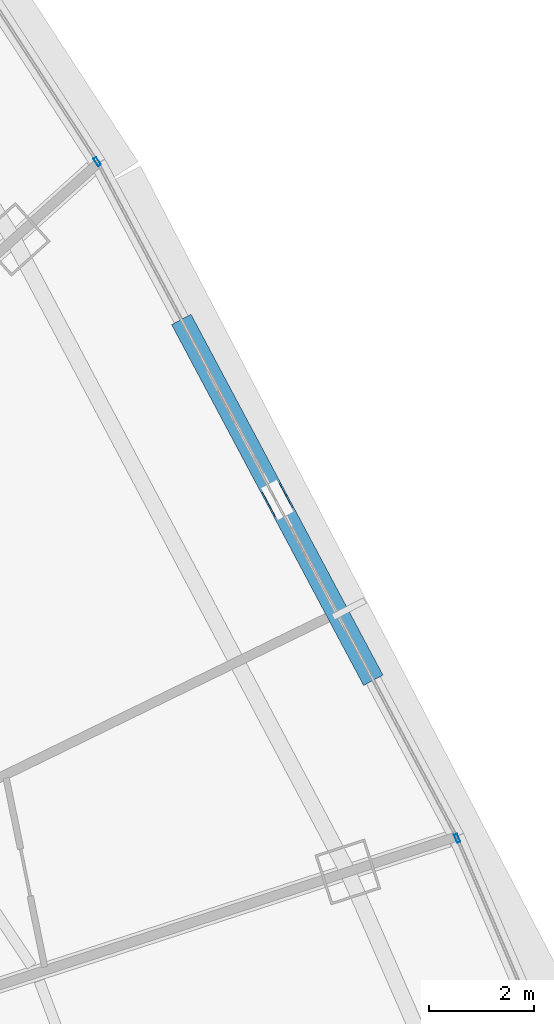
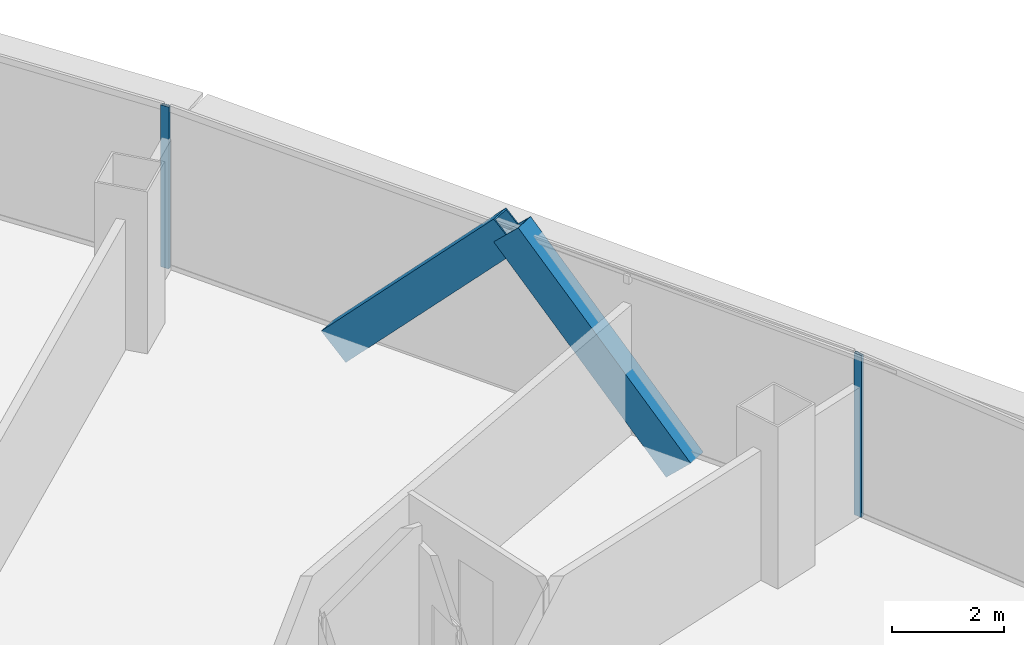
# One storey, part 24 of 37: 4 members, 2 elements without a shape of their own.
"""IFC4 building model written with IfcOpenShell, lengths in metres."""

from ifc_helpers import new_model, si_unit, direction, frame, origin, origin_2d, place, context, subcontext, project, spatial, hollow_rectangle, extrude, source, transform, mapped, material, layer, layer_set, material_profile, profile_set, type_object, element, aggregate, save


model = new_model("IFC4")

# Units and contexts
model_context = context("Model", 3, precision=1e-05, world=origin(), true_north=direction((0.0, 1.0)))
body_context = subcontext(model_context, "Body", "Model", "MODEL_VIEW")
ifc_project = project(units=[si_unit("LENGTHUNIT", "METRE"), si_unit("AREAUNIT", "SQUARE_METRE"), si_unit("VOLUMEUNIT", "CUBIC_METRE"), si_unit("PLANEANGLEUNIT", "RADIAN"), si_unit("MASSUNIT", "GRAM", prefix="KILO"), si_unit("THERMODYNAMICTEMPERATUREUNIT", "KELVIN"), si_unit("POWERUNIT", "WATT")], contexts=[model_context])

# Site, building, storey
site_placement = place(None, origin())
site = spatial("IfcSite", under=ifc_project, at=site_placement, CompositionType="ELEMENT")
building_placement = place(site_placement, origin())
building = spatial("IfcBuilding", under=site, at=building_placement, Name="Yunzhuo Pagoda Commons", CompositionType="ELEMENT")
storey_placement = place(building_placement, frame((0.0, 0.0, 84.97998046875)))
storey = spatial("IfcBuildingStorey", under=building, at=storey_placement, Name="L21", CompositionType="ELEMENT", Elevation=84.97998046875)

# Members
ifc_material_1 = material(Name="Structural steel Q420B", Category="steel")
ifc_material_profile_1 = material_profile(ifc_material_1, hollow_rectangle(XDim=0.419921875, YDim=0.719970703125, WallThickness=0.028076171875, at=origin_2d()), Name="Structural steel Q420B")
ifc_profile_set_1 = profile_set([ifc_material_profile_1], Name="Structural steel Q420B")
member_type_1 = type_object("IfcMemberType", Name="M-DL1 Brace BOX 720x420x28", PredefinedType="BRACE", material=ifc_profile_set_1)
shared_shape_1 = source(origin(), body_context, "Body", "SweptSolid", [
    extrude(hollow_rectangle(XDim=0.419921875, YDim=0.719970703125, WallThickness=0.028076171875, at=origin_2d()), origin(), (0.0, 0.0, 1.0), 5.2646484375),
])
for number, where, z_axis, x_axis, name in (
    (1, (79.35400390625, 47.65966796875, -0.260009765625), (-0.32508280737, 0.610933081925, 0.72186005414), (-0.882801443113, -0.469746327328, 0.0), "L21 facade diamond brace F2.2L"),
    (2, (75.93115234375, 54.09228515625, -0.260009765625), (0.32508280737, -0.610933081925, 0.72186005414), (0.882801443113, 0.469746327328, 0.0), "L21 facade diamond brace F2.2R"),
):
    element("IfcMember", number, at=place(storey_placement, frame(where, z_axis=z_axis, x_axis=x_axis)), inside=storey, type_object=member_type_1, Name=name, PredefinedType="BRACE", context=body_context, shape_type="MappedRepresentation", body=[
        mapped(shared_shape_1, transform((0.0, 0.0, 0.0), scale=1.0)),
    ])

# Curtain wall, member
ifc_material_2 = material(Name="Anodized aluminium 6063-T6", Category="aluminium")
ifc_layer = layer(ifc_material_2, 0.1650390625)
ifc_layer_set = layer_set([ifc_layer], Name="Anodized aluminium 6063-T6")
curtain_wall_type = type_object("IfcCurtainWallType", Name="CW-LOW Low-Zone Ribbon Curtain Wall", PredefinedType="NOTDEFINED", material=ifc_layer_set)
curtain_wall_1_placement = place(storey_placement, origin())
curtain_wall_1 = element("IfcCurtainWall", 3, at=curtain_wall_1_placement, inside=storey, type_object=curtain_wall_type, Name="L21 curtain wall CW-L21-F2B2", PredefinedType="NOTDEFINED")
ifc_material_profile_2 = material_profile(ifc_material_2, hollow_rectangle(XDim=0.06494140625, YDim=0.1650390625, WallThickness=0.00390625, at=origin_2d()), Name="Anodized aluminium 6063-T6")
ifc_profile_set_2 = profile_set([ifc_material_profile_2], Name="Anodized aluminium 6063-T6")
member_type_2 = type_object("IfcMemberType", Name="CW-LOW-M Mullion RHS 165x65x4", PredefinedType="MULLION", material=ifc_profile_set_2)
shared_shape_2 = source(origin(), body_context, "Body", "SweptSolid", [
    extrude(hollow_rectangle(XDim=0.06494140625, YDim=0.1650390625, WallThickness=0.00390625, at=origin_2d()), origin(), (0.0, 0.0, 1.0), 3.5400390625),
])
member_1_placement = place(storey_placement, frame((81.077880859375, 44.41357421875, 0.000244140625), z_axis=(0.0, 0.0, 1.0), x_axis=(-0.919250024103, -0.39367422215, 0.0)))
member_1 = element("IfcMember", 4, at=member_1_placement, type_object=member_type_2, Name="CW mullion 2", PredefinedType="MULLION", context=body_context, shape_type="MappedRepresentation", body=[
    mapped(shared_shape_2, transform((0.0, 0.0, 0.0), scale=1.0)),
])
aggregate(curtain_wall_1, [member_1])

curtain_wall_2_placement = place(storey_placement, origin())
curtain_wall_2 = element("IfcCurtainWall", 5, at=curtain_wall_2_placement, inside=storey, type_object=curtain_wall_type, Name="L21 curtain wall CW-L21-F2B4", PredefinedType="NOTDEFINED")
member_2_placement = place(storey_placement, frame((74.2021484375, 57.335693359375, 0.000244140625), z_axis=(0.0, 0.0, 1.0), x_axis=(-0.838906636672, -0.544275348466, 0.0)))
member_2 = element("IfcMember", 6, at=member_2_placement, type_object=member_type_2, Name="CW mullion 1", PredefinedType="MULLION", context=body_context, shape_type="MappedRepresentation", body=[
    mapped(shared_shape_2, transform((0.0, 0.0, 0.0), scale=1.0)),
])
aggregate(curtain_wall_2, [member_2])

save(model, "model.ifc")
